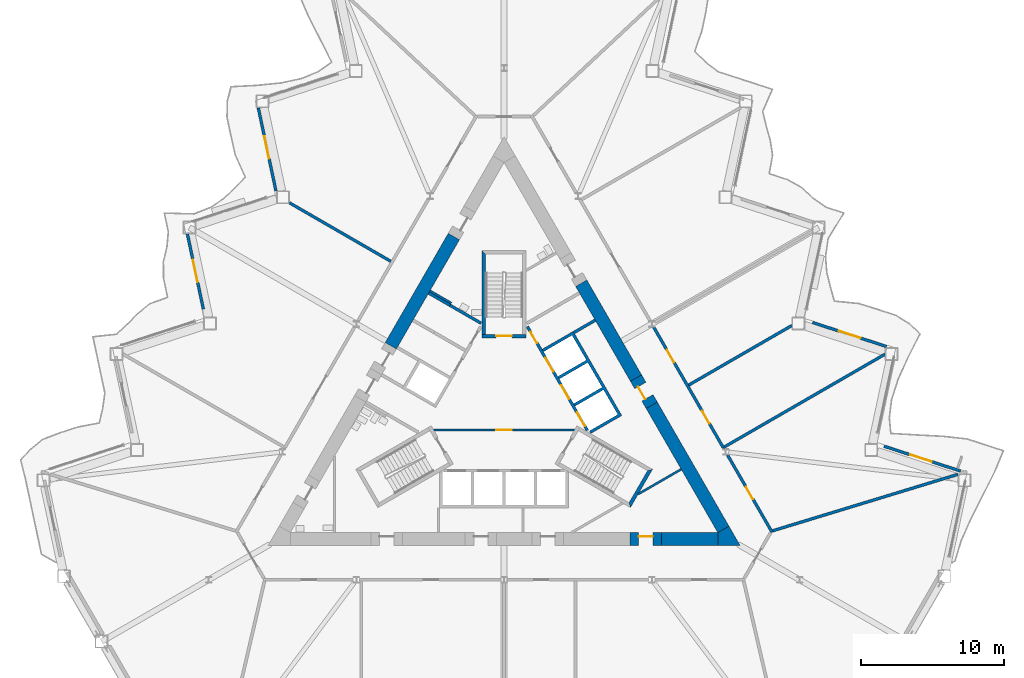
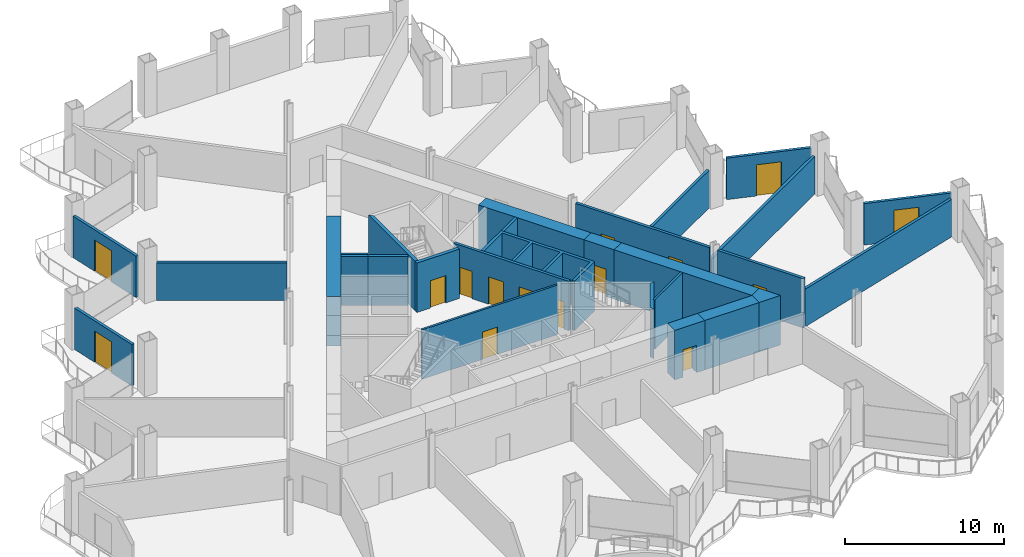
# One storey, part 12 of 21: 28 walls, 15 doors, 15 openings.
"""IFC4 building model written with IfcOpenShell, lengths in metres."""

from ifc_helpers import new_model, si_unit, direction, frame, frame_2d, origin, place, context, subcontext, project, spatial, polyline, rectangle, outline, extrude, material, layer, layer_set, type_object, element, fill, save


model = new_model("IFC4")

# Units and contexts
model_context = context("Model", 3, precision=1e-05, world=origin(), true_north=direction((0.0, 1.0)))
body_context = subcontext(model_context, "Body", "Model", "MODEL_VIEW")
ifc_project = project(units=[si_unit("LENGTHUNIT", "METRE"), si_unit("AREAUNIT", "SQUARE_METRE"), si_unit("VOLUMEUNIT", "CUBIC_METRE"), si_unit("PLANEANGLEUNIT", "RADIAN"), si_unit("MASSUNIT", "GRAM", prefix="KILO")], contexts=[model_context])

# Site, building, storey
site_placement = place(None, origin())
site = spatial("IfcSite", under=ifc_project, at=site_placement, CompositionType="ELEMENT")
building_placement = place(site_placement, origin())
building = spatial("IfcBuilding", under=site, at=building_placement, Name="Cormorant Prow Tower", CompositionType="ELEMENT")
storey_placement = place(building_placement, frame((0.0, 0.0, 99.60009765625)))
storey = spatial("IfcBuildingStorey", under=building, at=storey_placement, Name="L20", CompositionType="ELEMENT", Elevation=99.60009765625)

# Wall, opening, door
ifc_material_1 = material(Name="Gypsum board partition")
ifc_layer_1 = layer(ifc_material_1, 0.14990234375)
ifc_layer_set_1 = layer_set([ifc_layer_1], Name="Gypsum board partition")
wall_type_1 = type_object("IfcWallType", Name="Core partition 150", PredefinedType="PARTITIONING", material=ifc_layer_set_1)
wall_1_placement = place(storey_placement, frame((-4.941162109375, -1.449951171875, 0.0), z_axis=(0.0, 0.0, 1.0), x_axis=(1.0, 0.0, 0.0)))
wall_1 = element("IfcWall", 1, at=wall_1_placement, inside=storey, type_object=wall_type_1, Name="Firefighting lobby partition", PredefinedType="PARTITIONING", context=body_context, shape_type="SweptSolid", body=[
    extrude(rectangle(XDim=9.88232421875, YDim=0.14990234375, at=frame_2d((4.941162109375, 0.0))), origin(), (0.0, 0.0, 1.0), 3.7998046875),
])
opening_1_placement = place(wall_1_placement, frame((4.39111328125, 0.0, 0.0)))
opening_1 = element("IfcOpeningElement", 2, at=opening_1_placement, cuts=wall_1, Name="Opening L20-C11", PredefinedType="OPENING", context=body_context, shape_type="SweptSolid", body=[
    extrude(rectangle(XDim=1.10009765625, YDim=2.10009765625, at=frame_2d((0.550048828125, 1.050048828125))), frame((0.0, 0.0849609375, 0.0), z_axis=(0.0, -1.0, 0.0), x_axis=(1.0, 0.0, 0.0)), (0.0, 0.0, 1.0), 0.169921875),
])
ifc_material_2 = material(Name="Painted steel", Category="steel")
door_type_1 = type_object("IfcDoorType", Name="Firefighting lobby door 1100x2100", OperationType="NOTDEFINED", PredefinedType="DOOR", material=ifc_material_2)
door_1_placement = place(opening_1_placement, origin())
door_1 = element("IfcDoor", 3, at=door_1_placement, inside=storey, type_object=door_type_1, Name="Firefighting lobby door", OperationType="SINGLE_SWING_LEFT", OverallHeight=2.10009765625, OverallWidth=1.10009765625, PredefinedType="DOOR", context=body_context, shape_type="SweptSolid", body=[
    extrude(rectangle(XDim=1.10009765625, YDim=2.10009765625, at=frame_2d((0.550048828125, 1.050048828125))), frame((0.0, 0.02490234375, 0.0), z_axis=(0.0, -1.0, 0.0), x_axis=(1.0, 0.0, 0.0)), (0.0, 0.0, 1.0), 0.050048828125),
])
fill(opening_1, door_1)

# Walls
wall_2_placement = place(storey_placement, frame((-3.693359375, 7.4150390625, 0.0), z_axis=(0.0, 0.0, 1.0), x_axis=(-0.866024871741, 0.500000921525, 0.0)))
element("IfcWall", 4, at=wall_2_placement, inside=storey, type_object=wall_type_1, Name="Service room partition", PredefinedType="PARTITIONING", context=body_context, shape_type="SweptSolid", body=[
    extrude(rectangle(XDim=1.72021484375, YDim=0.14990234375, at=frame_2d((0.860107421875, 0.0))), origin(), (0.0, 0.0, 1.0), 3.7998046875),
])
wall_3_placement = place(storey_placement, frame((12.385009765625, -4.198974609375, 0.0), z_axis=(0.0, 0.0, 1.0), x_axis=(-0.86604566135, -0.499964911226, 0.0)))
element("IfcWall", 5, at=wall_3_placement, inside=storey, type_object=wall_type_1, Name="Service room partition", PredefinedType="PARTITIONING", context=body_context, shape_type="SweptSolid", body=[
    extrude(rectangle(XDim=3.486572265625, YDim=0.14990234375, at=frame_2d((1.7431640625, 0.0))), origin(), (0.0, 0.0, 1.0), 3.7998046875),
])
ifc_material_3 = material(Name="Concrete 8000 psi", Category="concrete")
ifc_layer_2 = layer(ifc_material_3, 0.89990234375)
ifc_layer_set_2 = layer_set([ifc_layer_2], Name="Concrete 8000 psi")
wall_type_2 = type_object("IfcWallType", Name="Core shear wall 900", PredefinedType="SHEAR", material=ifc_layer_set_2)
wall_4_placement = place(storey_placement, frame((11.00390625, -9.076416015625, 0.0), z_axis=(0.0, 0.0, 1.0), x_axis=(1.0, 0.0, 0.0)))
element("IfcWall", 6, at=wall_4_placement, inside=storey, type_object=wall_type_2, Name="Core wall", PredefinedType="SHEAR", context=body_context, shape_type="SweptSolid", body=[
    extrude(rectangle(XDim=3.937255859375, YDim=0.89990234375, at=frame_2d((1.96875, 0.0))), origin(), (0.0, 0.0, 1.0), 3.7998046875),
])
wall_5_placement = place(storey_placement, frame((15.330810546875, -8.4013671875, 0.0), z_axis=(0.0, 0.0, 1.0), x_axis=(-0.499996094196, 0.86602765879, 0.0)))
element("IfcWall", 7, at=wall_5_placement, inside=storey, type_object=wall_type_2, Name="Core wall", PredefinedType="SHEAR", context=body_context, shape_type="SweptSolid", body=[
    extrude(rectangle(XDim=10.01416015625, YDim=0.89990234375, at=frame_2d((5.007080078125, 0.0))), origin(), (0.0, 0.0, 1.0), 3.7998046875),
])
wall_6_placement = place(storey_placement, frame((9.2236328125, 2.176513671875, 0.0), z_axis=(0.0, 0.0, 1.0), x_axis=(-0.499987468925, 0.866032638483, 0.0)))
element("IfcWall", 8, at=wall_6_placement, inside=storey, type_object=wall_type_2, Name="Core wall", PredefinedType="SHEAR", context=body_context, shape_type="SweptSolid", body=[
    extrude(rectangle(XDim=7.655517578125, YDim=0.89990234375, at=frame_2d((3.82763671875, 0.0))), origin(), (0.0, 0.0, 1.0), 3.7998046875),
])
wall_7_placement = place(storey_placement, frame((-3.512451171875, 12.06884765625, 0.0), z_axis=(0.0, 0.0, 1.0), x_axis=(-0.500002126466, -0.866024176065, 0.0)))
element("IfcWall", 9, at=wall_7_placement, inside=storey, type_object=wall_type_2, Name="Core wall", PredefinedType="SHEAR", context=body_context, shape_type="SweptSolid", body=[
    extrude(rectangle(XDim=8.81591796875, YDim=0.89990234375, at=frame_2d((4.407958984375, 0.0))), origin(), (0.0, 0.0, 1.0), 3.7998046875),
])
wall_8_placement = place(storey_placement, origin())
element("IfcWall", 10, at=wall_8_placement, inside=storey, type_object=wall_type_2, Name="Core wall corner", PredefinedType="SHEAR", context=body_context, shape_type="SweptSolid", body=[
    extrude(outline(polyline([(14.941162109375, -8.626220703125), (15.720703125, -8.17626953125), (16.5, -9.5263671875), (14.941162109375, -9.5263671875), (14.941162109375, -8.626220703125)])), origin(), (0.0, 0.0, 1.0), 3.7998046875),
])

# Wall, opening, door
wall_9_placement = place(storey_placement, frame((8.803955078125, -9.076416015625, 0.0), z_axis=(0.0, 0.0, 1.0), x_axis=(1.0, 0.0, 0.0)))
wall_9 = element("IfcWall", 11, at=wall_9_placement, inside=storey, type_object=wall_type_2, Name="Core wall door panel", PredefinedType="SHEAR", context=body_context, shape_type="SweptSolid", body=[
    extrude(rectangle(XDim=2.199951171875, YDim=0.89990234375, at=frame_2d((1.10009765625, 0.0))), origin(), (0.0, 0.0, 1.0), 3.7998046875),
])
opening_2_placement = place(wall_9_placement, frame((0.60009765625, 0.0, 0.0)))
opening_2 = element("IfcOpeningElement", 12, at=opening_2_placement, cuts=wall_9, Name="Opening L20-C16", PredefinedType="OPENING", context=body_context, shape_type="SweptSolid", body=[
    extrude(rectangle(XDim=1.0, YDim=2.10009765625, at=frame_2d((0.5, 1.050048828125))), frame((0.0, 0.4599609375, 0.0), z_axis=(0.0, -1.0, 0.0), x_axis=(1.0, 0.0, 0.0)), (0.0, 0.0, 1.0), 0.919921875),
])
ifc_material_4 = material(Name="Painted steel", Category="steel")
door_type_2 = type_object("IfcDoorType", Name="Service door 1000x2100", OperationType="NOTDEFINED", PredefinedType="DOOR", material=ifc_material_4)
door_2_placement = place(opening_2_placement, origin())
door_2 = element("IfcDoor", 13, at=door_2_placement, inside=storey, type_object=door_type_2, Name="Core door, Pantry store", OperationType="SINGLE_SWING_RIGHT", OverallHeight=2.10009765625, OverallWidth=1.0, PredefinedType="DOOR", context=body_context, shape_type="SweptSolid", body=[
    extrude(rectangle(XDim=1.0, YDim=2.10009765625, at=frame_2d((0.5, 1.050048828125))), frame((0.0, 0.205078125, 0.0), z_axis=(0.0, -1.0, 0.0), x_axis=(1.0, 0.0, 0.0)), (0.0, 0.0, 1.0), 0.050048828125),
])
fill(opening_2, door_2)

wall_10_placement = place(storey_placement, frame((10.32373046875, 0.271240234375, 0.0), z_axis=(0.0, 0.0, 1.0), x_axis=(-0.499946605688, 0.86605622881, 0.0)))
wall_10 = element("IfcWall", 14, at=wall_10_placement, inside=storey, type_object=wall_type_2, Name="Core wall door panel", PredefinedType="SHEAR", context=body_context, shape_type="SweptSolid", body=[
    extrude(rectangle(XDim=2.199951171875, YDim=0.89990234375, at=frame_2d((1.10009765625, 0.0))), origin(), (0.0, 0.0, 1.0), 3.7998046875),
])
opening_3_placement = place(wall_10_placement, frame((0.60009765625, 0.0, 0.0)))
opening_3 = element("IfcOpeningElement", 15, at=opening_3_placement, cuts=wall_10, Name="Opening L20-C20", PredefinedType="OPENING", context=body_context, shape_type="SweptSolid", body=[
    extrude(rectangle(XDim=1.0, YDim=2.10009765625, at=frame_2d((0.5, 1.050048828125))), frame((0.0, 0.4599609375, 0.0), z_axis=(0.0, -1.0, 0.0), x_axis=(1.0, 0.0, 0.0)), (0.0, 0.0, 1.0), 0.919921875),
])
door_3_placement = place(opening_3_placement, origin())
door_3 = element("IfcDoor", 16, at=door_3_placement, inside=storey, type_object=door_type_2, Name="Core door, Pantry store", OperationType="SINGLE_SWING_RIGHT", OverallHeight=2.10009765625, OverallWidth=1.0, PredefinedType="DOOR", context=body_context, shape_type="SweptSolid", body=[
    extrude(rectangle(XDim=1.0, YDim=2.10009765625, at=frame_2d((0.5, 1.050048828125))), frame((0.0, 0.205078125, 0.0), z_axis=(0.0, -1.0, 0.0), x_axis=(1.0, 0.0, 0.0)), (0.0, 0.0, 1.0), 0.050048828125),
])
fill(opening_3, door_3)

# Wall, openings, doors
ifc_material_5 = material(Name="Gypsum board corridor wall")
ifc_layer_3 = layer(ifc_material_5, 0.199951171875)
ifc_layer_set_3 = layer_set([ifc_layer_3], Name="Gypsum board corridor wall")
wall_type_3 = type_object("IfcWallType", Name="Corridor wall 200", PredefinedType="PARTITIONING", material=ifc_layer_set_3)
wall_11_placement = place(storey_placement, frame((10.459716796875, 5.735595703125, 0.0), z_axis=(0.0, 0.0, 1.0), x_axis=(0.500010522431, -0.866019328571, 0.0)))
wall_11 = element("IfcWall", 17, at=wall_11_placement, inside=storey, type_object=wall_type_3, Name="Corridor wall", PredefinedType="PARTITIONING", context=body_context, shape_type="SweptSolid", body=[
    extrude(rectangle(XDim=9.732666015625, YDim=0.199951171875, at=frame_2d((4.8662109375, 0.0))), origin(), (0.0, 0.0, 1.0), 3.7998046875),
])
opening_4_placement = place(wall_11_placement, frame((6.77587890625, 0.0, 0.0)))
opening_4 = element("IfcOpeningElement", 18, at=opening_4_placement, cuts=wall_11, Name="Opening L20-F07", PredefinedType="OPENING", context=body_context, shape_type="SweptSolid", body=[
    extrude(rectangle(XDim=1.0, YDim=2.10009765625, at=frame_2d((0.5, 1.050048828125))), frame((0.0, 0.10986328125, 0.0), z_axis=(0.0, -1.0, 0.0), x_axis=(1.0, 0.0, 0.0)), (0.0, 0.0, 1.0), 0.219970703125),
])
opening_5_placement = place(wall_11_placement, frame((1.8564453125, 0.0, 0.0)))
opening_5 = element("IfcOpeningElement", 19, at=opening_5_placement, cuts=wall_11, Name="Opening L20-F08", PredefinedType="OPENING", context=body_context, shape_type="SweptSolid", body=[
    extrude(rectangle(XDim=1.0, YDim=2.10009765625, at=frame_2d((0.5, 1.050048828125))), frame((0.0, 0.10986328125, 0.0), z_axis=(0.0, -1.0, 0.0), x_axis=(1.0, 0.0, 0.0)), (0.0, 0.0, 1.0), 0.219970703125),
])
ifc_material_6 = material(Name="Timber door leaf", Category="wood")
door_type_3 = type_object("IfcDoorType", Name="Office door 1000x2100", OperationType="NOTDEFINED", PredefinedType="DOOR", material=ifc_material_6)
door_4_placement = place(opening_4_placement, origin())
door_4 = element("IfcDoor", 20, at=door_4_placement, inside=storey, type_object=door_type_3, Name="Private office door", OperationType="SINGLE_SWING_RIGHT", OverallHeight=2.10009765625, OverallWidth=1.0, PredefinedType="DOOR", context=body_context, shape_type="SweptSolid", body=[
    extrude(rectangle(XDim=1.0, YDim=2.10009765625, at=frame_2d((0.5, 1.050048828125))), frame((0.0, 0.02490234375, 0.0), z_axis=(0.0, -1.0, 0.0), x_axis=(1.0, 0.0, 0.0)), (0.0, 0.0, 1.0), 0.050048828125),
])
fill(opening_4, door_4)
door_5_placement = place(opening_5_placement, origin())
door_5 = element("IfcDoor", 21, at=door_5_placement, inside=storey, type_object=door_type_3, Name="Private office door", OperationType="SINGLE_SWING_LEFT", OverallHeight=2.10009765625, OverallWidth=1.0, PredefinedType="DOOR", context=body_context, shape_type="SweptSolid", body=[
    extrude(rectangle(XDim=1.0, YDim=2.10009765625, at=frame_2d((0.5, 1.050048828125))), frame((0.0, 0.02490234375, 0.0), z_axis=(0.0, -1.0, 0.0), x_axis=(1.0, 0.0, 0.0)), (0.0, 0.0, 1.0), 0.050048828125),
])
fill(opening_5, door_5)

# Wall, opening, door
wall_12_placement = place(storey_placement, frame((15.6240234375, -3.208984375, 0.0), z_axis=(0.0, 0.0, 1.0), x_axis=(0.499997920671, -0.866026604282, 0.0)))
wall_12 = element("IfcWall", 22, at=wall_12_placement, inside=storey, type_object=wall_type_3, Name="Corridor wall", PredefinedType="PARTITIONING", context=body_context, shape_type="SweptSolid", body=[
    extrude(rectangle(XDim=6.23974609375, YDim=0.199951171875, at=frame_2d((3.119873046875, 0.0))), origin(), (0.0, 0.0, 1.0), 3.7998046875),
])
opening_6_placement = place(wall_12_placement, frame((2.569580078125, 0.0, 0.0)))
opening_6 = element("IfcOpeningElement", 23, at=opening_6_placement, cuts=wall_12, Name="Opening L20-F06", PredefinedType="OPENING", context=body_context, shape_type="SweptSolid", body=[
    extrude(rectangle(XDim=1.0, YDim=2.10009765625, at=frame_2d((0.5, 1.050048828125))), frame((0.0, 0.10986328125, 0.0), z_axis=(0.0, -1.0, 0.0), x_axis=(1.0, 0.0, 0.0)), (0.0, 0.0, 1.0), 0.219970703125),
])
door_6_placement = place(opening_6_placement, origin())
door_6 = element("IfcDoor", 24, at=door_6_placement, inside=storey, type_object=door_type_3, Name="Co-working room door", OperationType="SINGLE_SWING_RIGHT", OverallHeight=2.10009765625, OverallWidth=1.0, PredefinedType="DOOR", context=body_context, shape_type="SweptSolid", body=[
    extrude(rectangle(XDim=1.0, YDim=2.10009765625, at=frame_2d((0.5, 1.050048828125))), frame((0.0, 0.02490234375, 0.0), z_axis=(0.0, -1.0, 0.0), x_axis=(1.0, 0.0, 0.0)), (0.0, 0.0, 1.0), 0.050048828125),
])
fill(opening_6, door_6)

# Walls
ifc_material_7 = material(Name="Gypsum board demising wall")
ifc_layer_4 = layer(ifc_material_7, 0.199951171875)
ifc_layer_set_4 = layer_set([ifc_layer_4], Name="Gypsum board demising wall")
wall_type_4 = type_object("IfcWallType", Name="Demising wall 200", PredefinedType="PARTITIONING", material=ifc_layer_set_4)
wall_13_placement = place(storey_placement, frame((18.78955078125, -8.4970703125, 0.0), z_axis=(0.0, 0.0, 1.0), x_axis=(0.956574643239, 0.291487481569, 0.0)))
element("IfcWall", 25, at=wall_13_placement, inside=storey, type_object=wall_type_4, Name="Demising wall", PredefinedType="PARTITIONING", context=body_context, shape_type="SweptSolid", body=[
    extrude(rectangle(XDim=13.5341796875, YDim=0.199951171875, at=frame_2d((6.76708984375, 0.0))), origin(), (0.0, 0.0, 1.0), 2.88525390625),
])
wall_14_placement = place(storey_placement, frame((15.321044921875, -2.684326171875, 0.0), z_axis=(0.0, 0.0, 1.0), x_axis=(0.866029068465, 0.499993652534, 0.0)))
element("IfcWall", 26, at=wall_14_placement, inside=storey, type_object=wall_type_4, Name="Demising wall", PredefinedType="PARTITIONING", context=body_context, shape_type="SweptSolid", body=[
    extrude(rectangle(XDim=13.065673828125, YDim=0.199951171875, at=frame_2d((6.53271484375, 0.0))), origin(), (0.0, 0.0, 1.0), 2.88525390625),
])
wall_15_placement = place(storey_placement, frame((12.911376953125, 1.689453125, 0.0), z_axis=(0.0, 0.0, 1.0), x_axis=(0.866032975699, 0.499986884831, 0.0)))
element("IfcWall", 27, at=wall_15_placement, inside=storey, type_object=wall_type_4, Name="Demising wall", PredefinedType="PARTITIONING", context=body_context, shape_type="SweptSolid", body=[
    extrude(rectangle(XDim=8.311767578125, YDim=0.199951171875, at=frame_2d((4.15576171875, 0.0))), origin(), (0.0, 0.0, 1.0), 2.88525390625),
])
wall_16_placement = place(storey_placement, frame((-15.009521484375, 14.430908203125, 0.0), z_axis=(0.0, 0.0, 1.0), x_axis=(0.866019738461, -0.5000098125, 0.0)))
element("IfcWall", 28, at=wall_16_placement, inside=storey, type_object=wall_type_4, Name="Demising wall", PredefinedType="PARTITIONING", context=body_context, shape_type="SweptSolid", body=[
    extrude(rectangle(XDim=8.187744140625, YDim=0.199951171875, at=frame_2d((4.09375, 0.0))), origin(), (0.0, 0.0, 1.0), 2.88525390625),
])

# Wall, openings, doors
ifc_material_8 = material(Name="Concrete 5000 psi", Category="concrete")
ifc_layer_5 = layer(ifc_material_8, 0.199951171875)
ifc_layer_set_5 = layer_set([ifc_layer_5], Name="Concrete 5000 psi")
wall_type_5 = type_object("IfcWallType", Name="Lift lobby wall 200", PredefinedType="SOLIDWALL", material=ifc_layer_set_5)
wall_17_placement = place(storey_placement, frame((5.817138671875, -1.4755859375, 0.0), z_axis=(0.0, 0.0, 1.0), x_axis=(-0.500002616675, 0.866023893041, 0.0)))
wall_17 = element("IfcWall", 29, at=wall_17_placement, inside=storey, type_object=wall_type_5, Name="Lift lobby wall, ENE block", PredefinedType="SOLIDWALL", context=body_context, shape_type="SweptSolid", body=[
    extrude(rectangle(XDim=8.373046875, YDim=0.199951171875, at=frame_2d((4.1865234375, 0.0))), origin(), (0.0, 0.0, 1.0), 3.7998046875),
])
opening_7_placement = place(wall_17_placement, frame((0.336669921875, 0.0, 0.0)))
opening_7 = element("IfcOpeningElement", 30, at=opening_7_placement, cuts=wall_17, Name="Opening L20-C05", PredefinedType="OPENING", context=body_context, shape_type="SweptSolid", body=[
    extrude(rectangle(XDim=1.10009765625, YDim=2.10009765625, at=frame_2d((0.550048828125, 1.050048828125))), frame((0.0, 0.10986328125, 0.0), z_axis=(0.0, -1.0, 0.0), x_axis=(1.0, 0.0, 0.0)), (0.0, 0.0, 1.0), 0.219970703125),
])
opening_8_placement = place(wall_17_placement, frame((2.53662109375, 0.0, 0.0)))
opening_8 = element("IfcOpeningElement", 31, at=opening_8_placement, cuts=wall_17, Name="Opening L20-C06", PredefinedType="OPENING", context=body_context, shape_type="SweptSolid", body=[
    extrude(rectangle(XDim=1.10009765625, YDim=2.10009765625, at=frame_2d((0.550048828125, 1.050048828125))), frame((0.0, 0.10986328125, 0.0), z_axis=(0.0, -1.0, 0.0), x_axis=(1.0, 0.0, 0.0)), (0.0, 0.0, 1.0), 0.219970703125),
])
opening_9_placement = place(wall_17_placement, frame((4.736572265625, 0.0, 0.0)))
opening_9 = element("IfcOpeningElement", 32, at=opening_9_placement, cuts=wall_17, Name="Opening L20-C07", PredefinedType="OPENING", context=body_context, shape_type="SweptSolid", body=[
    extrude(rectangle(XDim=1.10009765625, YDim=2.10009765625, at=frame_2d((0.550048828125, 1.050048828125))), frame((0.0, 0.10986328125, 0.0), z_axis=(0.0, -1.0, 0.0), x_axis=(1.0, 0.0, 0.0)), (0.0, 0.0, 1.0), 0.219970703125),
])
opening_10_placement = place(wall_17_placement, frame((7.03662109375, 0.0, 0.0)))
opening_10 = element("IfcOpeningElement", 33, at=opening_10_placement, cuts=wall_17, Name="Opening L20-C08", PredefinedType="OPENING", context=body_context, shape_type="SweptSolid", body=[
    extrude(rectangle(XDim=0.89990234375, YDim=2.10009765625, at=frame_2d((0.449951171875, 1.050048828125))), frame((0.0, 0.10986328125, 0.0), z_axis=(0.0, -1.0, 0.0), x_axis=(1.0, 0.0, 0.0)), (0.0, 0.0, 1.0), 0.219970703125),
])
ifc_material_9 = material(Name="Painted steel", Category="steel")
door_type_4 = type_object("IfcDoorType", Name="Lift landing door 1100x2100", OperationType="SLIDING_TO_LEFT", PredefinedType="DOOR", material=ifc_material_9)
door_7_placement = place(opening_7_placement, origin())
door_7 = element("IfcDoor", 34, at=door_7_placement, inside=storey, type_object=door_type_4, Name="Landing door LR2", OperationType="SLIDING_TO_LEFT", OverallHeight=2.10009765625, OverallWidth=1.10009765625, PredefinedType="DOOR", context=body_context, shape_type="SweptSolid", body=[
    extrude(rectangle(XDim=1.10009765625, YDim=2.10009765625, at=frame_2d((0.550048828125, 1.050048828125))), frame((0.0, 0.02490234375, 0.0), z_axis=(0.0, -1.0, 0.0), x_axis=(1.0, 0.0, 0.0)), (0.0, 0.0, 1.0), 0.050048828125),
])
fill(opening_7, door_7)
door_8_placement = place(opening_8_placement, origin())
door_8 = element("IfcDoor", 35, at=door_8_placement, inside=storey, type_object=door_type_4, Name="Landing door LR3", OperationType="SLIDING_TO_LEFT", OverallHeight=2.10009765625, OverallWidth=1.10009765625, PredefinedType="DOOR", context=body_context, shape_type="SweptSolid", body=[
    extrude(rectangle(XDim=1.10009765625, YDim=2.10009765625, at=frame_2d((0.550048828125, 1.050048828125))), frame((0.0, 0.02490234375, 0.0), z_axis=(0.0, -1.0, 0.0), x_axis=(1.0, 0.0, 0.0)), (0.0, 0.0, 1.0), 0.050048828125),
])
fill(opening_8, door_8)
door_9_placement = place(opening_9_placement, origin())
door_9 = element("IfcDoor", 36, at=door_9_placement, inside=storey, type_object=door_type_4, Name="Landing door LR4", OperationType="SLIDING_TO_LEFT", OverallHeight=2.10009765625, OverallWidth=1.10009765625, PredefinedType="DOOR", context=body_context, shape_type="SweptSolid", body=[
    extrude(rectangle(XDim=1.10009765625, YDim=2.10009765625, at=frame_2d((0.550048828125, 1.050048828125))), frame((0.0, 0.02490234375, 0.0), z_axis=(0.0, -1.0, 0.0), x_axis=(1.0, 0.0, 0.0)), (0.0, 0.0, 1.0), 0.050048828125),
])
fill(opening_9, door_9)
ifc_material_10 = material(Name="Painted steel", Category="steel")
door_type_5 = type_object("IfcDoorType", Name="Service door 900x2100", OperationType="NOTDEFINED", PredefinedType="DOOR", material=ifc_material_10)
door_10_placement = place(opening_10_placement, origin())
door_10 = element("IfcDoor", 37, at=door_10_placement, inside=storey, type_object=door_type_5, Name="Service door, Telecom room", OperationType="SINGLE_SWING_RIGHT", OverallHeight=2.10009765625, OverallWidth=0.89990234375, PredefinedType="DOOR", context=body_context, shape_type="SweptSolid", body=[
    extrude(rectangle(XDim=0.89990234375, YDim=2.10009765625, at=frame_2d((0.449951171875, 1.050048828125))), frame((0.0, 0.02490234375, 0.0), z_axis=(0.0, -1.0, 0.0), x_axis=(1.0, 0.0, 0.0)), (0.0, 0.0, 1.0), 0.050048828125),
])
fill(opening_10, door_10)

# Walls
ifc_material_11 = material(Name="Concrete 8000 psi", Category="concrete")
ifc_layer_6 = layer(ifc_material_11, 0.199951171875)
ifc_layer_set_6 = layer_set([ifc_layer_6], Name="Concrete 8000 psi")
wall_type_6 = type_object("IfcWallType", Name="Lift shaft wall 200", PredefinedType="SHEAR", material=ifc_layer_set_6)
wall_18_placement = place(storey_placement, origin())
element("IfcWall", 38, at=wall_18_placement, inside=storey, type_object=wall_type_6, Name="Lift shaft walls, ENE block", PredefinedType="SHEAR", context=body_context, shape_type="SweptSolid", body=[
    extrude(outline(polyline([(2.660400390625, 4.19189453125), (4.830810546875, 5.44482421875), (8.230712890625, -0.444091796875), (6.060546875, -1.697021484375), (5.96044921875, -1.52392578125), (7.952392578125, -0.373779296875), (6.952392578125, 1.358154296875), (4.96044921875, 0.2080078125), (4.860595703125, 0.38134765625), (6.852294921875, 1.53125), (5.852294921875, 3.263427734375), (3.860595703125, 2.11328125), (3.760498046875, 2.28662109375), (5.75244140625, 3.4365234375), (4.75244140625, 5.168701171875), (2.760498046875, 4.018798828125), (2.660400390625, 4.19189453125)])), origin(), (0.0, 0.0, 1.0), 3.7998046875),
])
wall_19_placement = place(storey_placement, frame((4.880859375, 5.3583984375, 0.0), z_axis=(0.0, 0.0, 1.0), x_axis=(0.866024871741, 0.500000921525, 0.0)))
element("IfcWall", 39, at=wall_19_placement, inside=storey, type_object=wall_type_6, Name="Store side wall", PredefinedType="SHEAR", context=body_context, shape_type="SweptSolid", body=[
    extrude(rectangle(XDim=1.72021484375, YDim=0.199951171875, at=frame_2d((0.860107421875, 0.0))), origin(), (0.0, 0.0, 1.0), 3.7998046875),
])
wall_20_placement = place(storey_placement, origin())
element("IfcWall", 40, at=wall_20_placement, inside=storey, type_object=wall_type_6, Name="Lift shaft walls, WNW block", PredefinedType="SHEAR", context=body_context, shape_type="SweptSolid", body=[
    extrude(outline(polyline([(-3.730712890625, 7.35009765625), (-1.560546875, 6.09716796875), (-1.660400390625, 5.923828125), (-3.830810546875, 7.177001953125), (-3.730712890625, 7.35009765625)])), origin(), (0.0, 0.0, 1.0), 3.7998046875),
])
wall_21_placement = place(storey_placement, frame((-3.78076171875, 7.263427734375, 0.0), z_axis=(0.0, 0.0, 1.0), x_axis=(-0.865963414263, 0.500107353632, 0.0)))
element("IfcWall", 41, at=wall_21_placement, inside=storey, type_object=wall_type_6, Name="Store side wall", PredefinedType="SHEAR", context=body_context, shape_type="SweptSolid", body=[
    extrude(rectangle(XDim=1.72021484375, YDim=0.199951171875, at=frame_2d((0.860107421875, 0.0))), origin(), (0.0, 0.0, 1.0), 3.7998046875),
])
ifc_material_12 = material(Name="Concrete 8000 psi", Category="concrete")
ifc_layer_7 = layer(ifc_material_12, 0.25)
ifc_layer_set_7 = layer_set([ifc_layer_7], Name="Concrete 8000 psi")
wall_type_7 = type_object("IfcWallType", Name="Stair wall 250", PredefinedType="SHEAR", material=ifc_layer_set_7)
wall_22_placement = place(storey_placement, origin())
element("IfcWall", 42, at=wall_22_placement, inside=storey, type_object=wall_type_7, Name="Stair ST2 enclosure wall (end)", PredefinedType="SHEAR", context=body_context, shape_type="SweptSolid", body=[
    extrude(outline(polyline([(8.82958984375, -6.880615234375), (10.37353515625, -4.206298828125), (10.031982421875, -4.2978515625), (8.738037109375, -6.5390625), (8.82958984375, -6.880615234375)])), origin(), (0.0, 0.0, 1.0), 3.7998046875),
])
wall_23_placement = place(storey_placement, origin())
element("IfcWall", 43, at=wall_23_placement, inside=storey, type_object=wall_type_7, Name="Stair ST3 enclosure wall (flank)", PredefinedType="SHEAR", context=body_context, shape_type="SweptSolid", body=[
    extrude(outline(polyline([(-1.2939453125, 10.8369140625), (-1.5439453125, 11.0869140625), (-1.5439453125, 5.23681640625), (-1.2939453125, 5.23681640625), (-1.2939453125, 10.8369140625)])), origin(), (0.0, 0.0, 1.0), 3.7998046875),
])

# Wall, opening, door
wall_24_placement = place(storey_placement, frame((1.5439453125, 5.11181640625, 0.0), z_axis=(0.0, 0.0, 1.0), x_axis=(-1.0, 0.0, 0.0)))
wall_24 = element("IfcWall", 44, at=wall_24_placement, inside=storey, type_object=wall_type_7, Name="Stair ST3 door wall", PredefinedType="SHEAR", context=body_context, shape_type="SweptSolid", body=[
    extrude(rectangle(XDim=3.087890625, YDim=0.25, at=frame_2d((1.5439453125, 0.0))), origin(), (0.0, 0.0, 1.0), 3.7998046875),
])
opening_11_placement = place(wall_24_placement, frame((0.993896484375, 0.0, 0.0)))
opening_11 = element("IfcOpeningElement", 45, at=opening_11_placement, cuts=wall_24, Name="Opening L20-C14", PredefinedType="OPENING", context=body_context, shape_type="SweptSolid", body=[
    extrude(rectangle(XDim=1.10009765625, YDim=2.10009765625, at=frame_2d((0.550048828125, 1.050048828125))), frame((0.0, 0.135009765625, 0.0), z_axis=(0.0, -1.0, 0.0), x_axis=(1.0, 0.0, 0.0)), (0.0, 0.0, 1.0), 0.27001953125),
])
ifc_material_13 = material(Name="Painted steel", Category="steel")
door_type_6 = type_object("IfcDoorType", Name="Stair door 1100x2100", OperationType="NOTDEFINED", PredefinedType="DOOR", material=ifc_material_13)
door_11_placement = place(opening_11_placement, origin())
door_11 = element("IfcDoor", 46, at=door_11_placement, inside=storey, type_object=door_type_6, Name="Stair ST3 door", OperationType="SINGLE_SWING_RIGHT", OverallHeight=2.10009765625, OverallWidth=1.10009765625, PredefinedType="DOOR", context=body_context, shape_type="SweptSolid", body=[
    extrude(rectangle(XDim=1.10009765625, YDim=2.10009765625, at=frame_2d((0.550048828125, 1.050048828125))), frame((0.0, 0.02490234375, 0.0), z_axis=(0.0, -1.0, 0.0), x_axis=(1.0, 0.0, 0.0)), (0.0, 0.0, 1.0), 0.050048828125),
])
fill(opening_11, door_11)

ifc_material_14 = material(Name="Terracotta", Category="masonry")
ifc_layer_8 = layer(ifc_material_14, 0.199951171875)
ifc_layer_set_8 = layer_set([ifc_layer_8], Name="Terracotta")
wall_type_8 = type_object("IfcWallType", Name="Terracotta jamb wall 200", PredefinedType="SOLIDWALL", material=ifc_layer_set_8)
wall_25_placement = place(storey_placement, frame((31.91162109375, -4.325439453125, 0.0), z_axis=(0.0, 0.0, 1.0), x_axis=(-0.951049681611, 0.30903802858, 0.0)))
wall_25 = element("IfcWall", 47, at=wall_25_placement, inside=storey, type_object=wall_type_8, Name="Terracotta jamb wall ENE01", PredefinedType="SOLIDWALL", context=body_context, shape_type="SweptSolid", body=[
    extrude(rectangle(XDim=5.63037109375, YDim=0.199951171875, at=frame_2d((2.815185546875, 0.0))), origin(), (0.0, 0.0, 1.0), 3.188720703125),
])
opening_12_placement = place(wall_25_placement, frame((2.107177734375, 0.0, 0.0)))
opening_12 = element("IfcOpeningElement", 48, at=opening_12_placement, cuts=wall_25, Name="Opening ED20.06", PredefinedType="OPENING", context=body_context, shape_type="SweptSolid", body=[
    extrude(rectangle(XDim=1.60009765625, YDim=2.39990234375, at=frame_2d((0.800048828125, 1.199951171875))), frame((0.0, 0.10986328125, 0.0), z_axis=(0.0, -1.0, 0.0), x_axis=(1.0, 0.0, 0.0)), (0.0, 0.0, 1.0), 0.219970703125),
])
ifc_material_15 = material(Name="Aluminium 6063-T6", Category="aluminium")
door_type_7 = type_object("IfcDoorType", Name="Balcony door 1600x2400", OperationType="DOUBLE_DOOR_SINGLE_SWING", PredefinedType="DOOR", material=ifc_material_15)
door_12_placement = place(opening_12_placement, origin())
door_12 = element("IfcDoor", 49, at=door_12_placement, inside=storey, type_object=door_type_7, Name="Balcony door ENE01 ED20.06", OperationType="DOUBLE_DOOR_SINGLE_SWING", OverallHeight=2.39990234375, OverallWidth=1.60009765625, PredefinedType="DOOR", context=body_context, shape_type="SweptSolid", body=[
    extrude(rectangle(XDim=1.60009765625, YDim=2.39990234375, at=frame_2d((0.800048828125, 1.199951171875))), frame((0.0, 0.02490234375, 0.0), z_axis=(0.0, -1.0, 0.0), x_axis=(1.0, 0.0, 0.0)), (0.0, 0.0, 1.0), 0.050048828125),
])
fill(opening_12, door_12)

wall_26_placement = place(storey_placement, frame((26.743896484375, 4.379150390625, 0.0), z_axis=(0.0, 0.0, 1.0), x_axis=(-0.951063054266, 0.308996871845, 0.0)))
wall_26 = element("IfcWall", 50, at=wall_26_placement, inside=storey, type_object=wall_type_8, Name="Terracotta jamb wall ENE03", PredefinedType="SOLIDWALL", context=body_context, shape_type="SweptSolid", body=[
    extrude(rectangle(XDim=5.4462890625, YDim=0.199951171875, at=frame_2d((2.72314453125, 0.0))), origin(), (0.0, 0.0, 1.0), 3.188720703125),
])
opening_13_placement = place(wall_26_placement, frame((1.923095703125, 0.0, 0.0)))
opening_13 = element("IfcOpeningElement", 51, at=opening_13_placement, cuts=wall_26, Name="Opening ED20.07", PredefinedType="OPENING", context=body_context, shape_type="SweptSolid", body=[
    extrude(rectangle(XDim=1.60009765625, YDim=2.39990234375, at=frame_2d((0.800048828125, 1.199951171875))), frame((0.0, 0.10986328125, 0.0), z_axis=(0.0, -1.0, 0.0), x_axis=(1.0, 0.0, 0.0)), (0.0, 0.0, 1.0), 0.219970703125),
])
door_13_placement = place(opening_13_placement, origin())
door_13 = element("IfcDoor", 52, at=door_13_placement, inside=storey, type_object=door_type_7, Name="Balcony door ENE03 ED20.07", OperationType="DOUBLE_DOOR_SINGLE_SWING", OverallHeight=2.39990234375, OverallWidth=1.60009765625, PredefinedType="DOOR", context=body_context, shape_type="SweptSolid", body=[
    extrude(rectangle(XDim=1.60009765625, YDim=2.39990234375, at=frame_2d((0.800048828125, 1.199951171875))), frame((0.0, 0.02490234375, 0.0), z_axis=(0.0, -1.0, 0.0), x_axis=(1.0, 0.0, 0.0)), (0.0, 0.0, 1.0), 0.050048828125),
])
fill(opening_13, door_13)

wall_27_placement = place(storey_placement, frame((-17.1845703125, 21.06640625, 0.0), z_axis=(0.0, 0.0, 1.0), x_axis=(0.207930102794, -0.978143686966, 0.0)))
wall_27 = element("IfcWall", 53, at=wall_27_placement, inside=storey, type_object=wall_type_8, Name="Terracotta jamb wall WNW03", PredefinedType="SOLIDWALL", context=body_context, shape_type="SweptSolid", body=[
    extrude(rectangle(XDim=5.93408203125, YDim=0.199951171875, at=frame_2d((2.967041015625, 0.0))), origin(), (0.0, 0.0, 1.0), 3.188720703125),
])
opening_14_placement = place(wall_27_placement, frame((2.02001953125, 0.0, 0.0)))
opening_14 = element("IfcOpeningElement", 54, at=opening_14_placement, cuts=wall_27, Name="Opening ED20.12", PredefinedType="OPENING", context=body_context, shape_type="SweptSolid", body=[
    extrude(rectangle(XDim=1.60009765625, YDim=2.39990234375, at=frame_2d((0.800048828125, 1.199951171875))), frame((0.0, 0.10986328125, 0.0), z_axis=(0.0, -1.0, 0.0), x_axis=(1.0, 0.0, 0.0)), (0.0, 0.0, 1.0), 0.219970703125),
])
door_14_placement = place(opening_14_placement, origin())
door_14 = element("IfcDoor", 55, at=door_14_placement, inside=storey, type_object=door_type_7, Name="Balcony door WNW03 ED20.12", OperationType="DOUBLE_DOOR_SINGLE_SWING", OverallHeight=2.39990234375, OverallWidth=1.60009765625, PredefinedType="DOOR", context=body_context, shape_type="SweptSolid", body=[
    extrude(rectangle(XDim=1.60009765625, YDim=2.39990234375, at=frame_2d((0.800048828125, 1.199951171875))), frame((0.0, 0.02490234375, 0.0), z_axis=(0.0, -1.0, 0.0), x_axis=(1.0, 0.0, 0.0)), (0.0, 0.0, 1.0), 0.050048828125),
])
fill(opening_14, door_14)

wall_28_placement = place(storey_placement, frame((-22.156982421875, 12.323974609375, 0.0), z_axis=(0.0, 0.0, 1.0), x_axis=(0.207903253291, -0.978149394148, 0.0)))
wall_28 = element("IfcWall", 56, at=wall_28_placement, inside=storey, type_object=wall_type_8, Name="Terracotta jamb wall WNW05", PredefinedType="SOLIDWALL", context=body_context, shape_type="SweptSolid", body=[
    extrude(rectangle(XDim=5.4462890625, YDim=0.199951171875, at=frame_2d((2.72314453125, 0.0))), origin(), (0.0, 0.0, 1.0), 3.188720703125),
])
opening_15_placement = place(wall_28_placement, frame((1.923095703125, 0.0, 0.0)))
opening_15 = element("IfcOpeningElement", 57, at=opening_15_placement, cuts=wall_28, Name="Opening ED20.13", PredefinedType="OPENING", context=body_context, shape_type="SweptSolid", body=[
    extrude(rectangle(XDim=1.60009765625, YDim=2.39990234375, at=frame_2d((0.800048828125, 1.199951171875))), frame((0.0, 0.10986328125, 0.0), z_axis=(0.0, -1.0, 0.0), x_axis=(1.0, 0.0, 0.0)), (0.0, 0.0, 1.0), 0.219970703125),
])
door_15_placement = place(opening_15_placement, origin())
door_15 = element("IfcDoor", 58, at=door_15_placement, inside=storey, type_object=door_type_7, Name="Balcony door WNW05 ED20.13", OperationType="DOUBLE_DOOR_SINGLE_SWING", OverallHeight=2.39990234375, OverallWidth=1.60009765625, PredefinedType="DOOR", context=body_context, shape_type="SweptSolid", body=[
    extrude(rectangle(XDim=1.60009765625, YDim=2.39990234375, at=frame_2d((0.800048828125, 1.199951171875))), frame((0.0, 0.02490234375, 0.0), z_axis=(0.0, -1.0, 0.0), x_axis=(1.0, 0.0, 0.0)), (0.0, 0.0, 1.0), 0.050048828125),
])
fill(opening_15, door_15)

save(model, "model.ifc")
